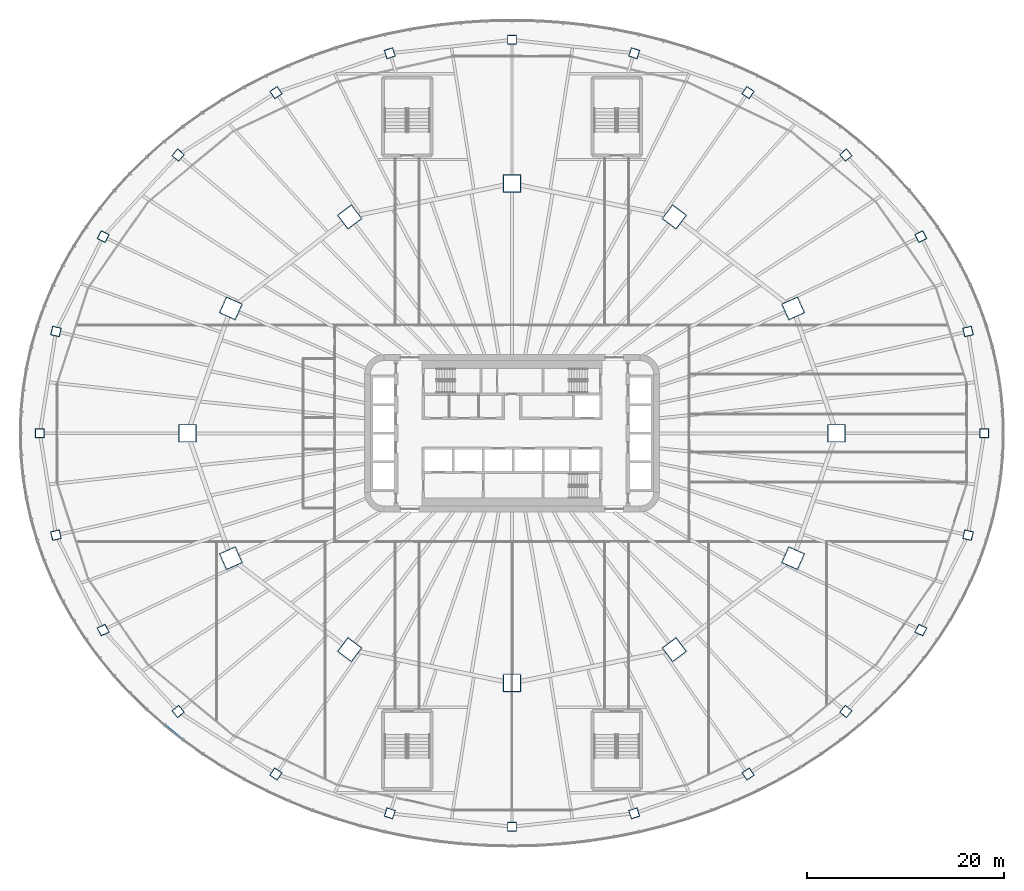
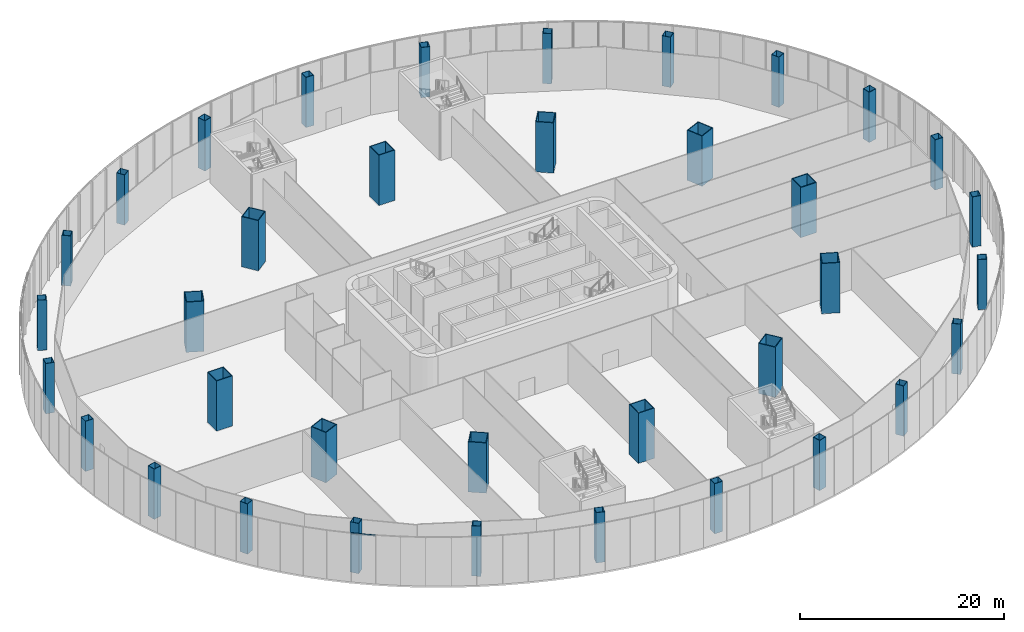
# One storey, part 1 of 37: 36 columns, 1 member, 1 element without a shape of its own.
"""IFC4 building model written with IfcOpenShell, lengths in metres."""

from ifc_helpers import new_model, si_unit, direction, frame, origin, origin_2d, place, context, subcontext, project, spatial, rectangle, hollow_rectangle, extrude, material, layer, layer_set, material_profile, profile_set, type_object, element, aggregate, save


model = new_model("IFC4")

# Units and contexts
model_context = context("Model", 3, precision=1e-05, world=origin(), true_north=direction((0.0, 1.0)))
body_context = subcontext(model_context, "Body", "Model", "MODEL_VIEW")
ifc_project = project(units=[si_unit("LENGTHUNIT", "METRE"), si_unit("AREAUNIT", "SQUARE_METRE"), si_unit("VOLUMEUNIT", "CUBIC_METRE"), si_unit("PLANEANGLEUNIT", "RADIAN"), si_unit("MASSUNIT", "GRAM", prefix="KILO")], contexts=[model_context])

# Site, building, storey
site_placement = place(None, origin())
site = spatial("IfcSite", under=ifc_project, at=site_placement, CompositionType="ELEMENT")
building_placement = place(site_placement, origin())
building = spatial("IfcBuilding", under=site, at=building_placement, Name="Sahrelin Media Tower", CompositionType="ELEMENT")
storey_placement = place(building_placement, frame((0.0, 0.0, 31.39990234375)))
storey = spatial("IfcBuildingStorey", under=building, at=storey_placement, Name="L04", CompositionType="ELEMENT", Elevation=31.39990234375)

# Columns
ifc_material_1 = material(Name="Steel S460", Category="steel")
ifc_material_profile_1 = material_profile(ifc_material_1, hollow_rectangle(XDim=1.800048828125, YDim=1.800048828125, WallThickness=0.080078125, at=origin_2d()), Name="Mega column MC1")
ifc_profile_set_1 = profile_set([ifc_material_profile_1], Name="Steel S460")
column_type_1 = type_object("IfcColumnType", Name="Mega column MC1", PredefinedType="COLUMN", material=ifc_profile_set_1)
for number, where, z_axis, x_axis, name in (
    (1, (33.0, 0.0, 0.0), (0.0, 0.0, 1.0), (1.0, 0.0, 0.0), "Mega column MC-00"),
    (2, (28.578857421875, 12.699951171875, 0.0), (0.0, 0.0, 1.0), (0.913831317054, 0.40609398416, 0.0), "Mega column MC-01"),
    (3, (16.5, 21.9970703125, 0.0), (0.0, 0.0, 1.0), (0.600051693363, 0.799961227368, 0.0), "Mega column MC-02"),
    (4, (0.0, 25.39990234375, 0.0), (0.0, 0.0, 1.0), (0.0, 1.0, 0.0), "Mega column MC-03"),
    (5, (-16.5, 21.9970703125, 0.0), (0.0, 0.0, 1.0), (-0.600051693363, 0.799961227368, 0.0), "Mega column MC-04"),
    (6, (-28.578857421875, 12.699951171875, 0.0), (0.0, 0.0, 1.0), (-0.913831317054, 0.40609398416, 0.0), "Mega column MC-05"),
    (7, (-33.0, 0.0, 0.0), (0.0, 0.0, 1.0), (-1.0, 0.0, 0.0), "Mega column MC-06"),
    (8, (-28.578857421875, -12.699951171875, 0.0), (0.0, 0.0, 1.0), (-0.913831317054, -0.40609398416, 0.0), "Mega column MC-07"),
    (9, (-16.5, -21.9970703125, 0.0), (0.0, 0.0, 1.0), (-0.600051693363, -0.799961227368, 0.0), "Mega column MC-08"),
    (10, (0.0, -25.39990234375, 0.0), (0.0, 0.0, 1.0), (0.0, -1.0, 0.0), "Mega column MC-09"),
    (11, (16.5, -21.9970703125, 0.0), (0.0, 0.0, 1.0), (0.600051693363, -0.799961227368, 0.0), "Mega column MC-10"),
    (12, (28.578857421875, -12.699951171875, 0.0), (0.0, 0.0, 1.0), (0.913831317054, -0.40609398416, 0.0), "Mega column MC-11"),
):
    element("IfcColumn", number, at=place(storey_placement, frame(where, z_axis=z_axis, x_axis=x_axis)), inside=storey, type_object=column_type_1, Name=name, PredefinedType="COLUMN", context=body_context, shape_type="SweptSolid", body=[
        extrude(hollow_rectangle(XDim=1.800048828125, YDim=1.800048828125, WallThickness=0.080078125, at=origin_2d()), origin(), (0.0, 0.0, 1.0), 6.0),
    ])
ifc_material_profile_2 = material_profile(ifc_material_1, hollow_rectangle(XDim=0.89990234375, YDim=0.89990234375, WallThickness=0.0400390625, at=origin_2d()), Name="Podium column PC1")
ifc_profile_set_2 = profile_set([ifc_material_profile_2], Name="Steel S460")
column_type_2 = type_object("IfcColumnType", Name="Podium column PC1", PredefinedType="COLUMN", material=ifc_profile_set_2)
for number, where, z_axis, x_axis, name in (
    (13, (48.0, 0.0, 0.0), (0.0, 0.0, 1.0), (1.0, 0.0, 0.0), "Podium column PC-00"),
    (14, (46.364501953125, 10.352783203125, 0.0), (0.0, 0.0, 1.0), (0.975965471253, 0.217925214058, 0.0), "Podium column PC-01"),
    (15, (41.569091796875, 20.0, 0.0), (0.0, 0.0, 1.0), (0.901126969284, 0.433555285089, 0.0), "Podium column PC-02"),
    (16, (33.941162109375, 28.2841796875, 0.0), (0.0, 0.0, 1.0), (0.768220956602, 0.640184787259, 0.0), "Podium column PC-03"),
    (17, (24.0, 34.64111328125, 0.0), (0.0, 0.0, 1.0), (0.569494740726, 0.821994975827, 0.0), "Podium column PC-04"),
    (18, (12.42333984375, 38.636962890625, 0.0), (0.0, 0.0, 1.0), (0.306104074477, 0.951998054404, 0.0), "Podium column PC-05"),
    (19, (0.0, 40.0, 0.0), (0.0, 0.0, 1.0), (0.0, 1.0, 0.0), "Podium column PC-06"),
    (20, (-12.42333984375, 38.636962890625, 0.0), (0.0, 0.0, 1.0), (-0.306104074477, 0.951998054404, 0.0), "Podium column PC-07"),
    (21, (-24.0, 34.64111328125, 0.0), (0.0, 0.0, 1.0), (-0.569494740726, 0.821994975827, 0.0), "Podium column PC-08"),
    (22, (-33.941162109375, 28.2841796875, 0.0), (0.0, 0.0, 1.0), (-0.768220956602, 0.640184787259, 0.0), "Podium column PC-09"),
    (23, (-41.569091796875, 20.0, 0.0), (0.0, 0.0, 1.0), (-0.901126969284, 0.433555285089, 0.0), "Podium column PC-10"),
    (24, (-46.364501953125, 10.352783203125, 0.0), (0.0, 0.0, 1.0), (-0.975965471253, 0.217925214058, 0.0), "Podium column PC-11"),
    (25, (-48.0, 0.0, 0.0), (0.0, 0.0, 1.0), (-1.0, 0.0, 0.0), "Podium column PC-12"),
    (26, (-46.364501953125, -10.352783203125, 0.0), (0.0, 0.0, 1.0), (-0.975965471253, -0.217925214058, 0.0), "Podium column PC-13"),
    (27, (-41.569091796875, -20.0, 0.0), (0.0, 0.0, 1.0), (-0.901126969284, -0.433555285089, 0.0), "Podium column PC-14"),
    (28, (-33.941162109375, -28.2841796875, 0.0), (0.0, 0.0, 1.0), (-0.768220956602, -0.640184787259, 0.0), "Podium column PC-15"),
    (29, (-24.0, -34.64111328125, 0.0), (0.0, 0.0, 1.0), (-0.569494740726, -0.821994975827, 0.0), "Podium column PC-16"),
    (30, (-12.42333984375, -38.636962890625, 0.0), (0.0, 0.0, 1.0), (-0.306104074477, -0.951998054404, 0.0), "Podium column PC-17"),
    (31, (0.0, -40.0, 0.0), (0.0, 0.0, 1.0), (0.0, -1.0, 0.0), "Podium column PC-18"),
    (32, (12.42333984375, -38.636962890625, 0.0), (0.0, 0.0, 1.0), (0.306104074477, -0.951998054404, 0.0), "Podium column PC-19"),
    (33, (24.0, -34.64111328125, 0.0), (0.0, 0.0, 1.0), (0.569494740726, -0.821994975827, 0.0), "Podium column PC-20"),
    (34, (33.941162109375, -28.2841796875, 0.0), (0.0, 0.0, 1.0), (0.768220956602, -0.640184787259, 0.0), "Podium column PC-21"),
    (35, (41.569091796875, -20.0, 0.0), (0.0, 0.0, 1.0), (0.901126969284, -0.433555285089, 0.0), "Podium column PC-22"),
    (36, (46.364501953125, -10.352783203125, 0.0), (0.0, 0.0, 1.0), (0.975965471253, -0.217925214058, 0.0), "Podium column PC-23"),
):
    element("IfcColumn", number, at=place(storey_placement, frame(where, z_axis=z_axis, x_axis=x_axis)), inside=storey, type_object=column_type_2, Name=name, PredefinedType="COLUMN", context=body_context, shape_type="SweptSolid", body=[
        extrude(hollow_rectangle(XDim=0.89990234375, YDim=0.89990234375, WallThickness=0.0400390625, at=origin_2d()), origin(), (0.0, 0.0, 1.0), 6.0),
    ])

# Curtain wall, member
ifc_material_2 = material(Name="Champagne anodised aluminium 6063-T6", Category="aluminium")
ifc_layer = layer(ifc_material_2, 0.14990234375)
ifc_layer_set = layer_set([ifc_layer], Name="Podium ribbon curtain wall")
curtain_wall_type = type_object("IfcCurtainWallType", Name="Podium ribbon curtain wall", PredefinedType="NOTDEFINED", material=ifc_layer_set)
curtain_wall_placement = place(storey_placement, frame((-35.355224609375, -29.698486328125, 0.0), z_axis=(0.0, 0.0, 1.0), x_axis=(1.0, 0.0, 0.0)))
curtain_wall = element("IfcCurtainWall", 37, at=curtain_wall_placement, inside=storey, type_object=curtain_wall_type, Name="L04:CW:L04-P15", PredefinedType="NOTDEFINED")
ifc_material_profile_3 = material_profile(ifc_material_2, rectangle(XDim=0.06005859375, YDim=0.14990234375, at=origin_2d()), Name="Transom 60x150")
ifc_profile_set_3 = profile_set([ifc_material_profile_3], Name="Champagne anodised aluminium 6063-T6")
member_type = type_object("IfcMemberType", Name="Transom 60x150 CW5", PredefinedType="USERDEFINED", material=ifc_profile_set_3)
member_placement = place(storey_placement, frame((-35.284912109375, -29.690673828125, 5.72509765625), z_axis=(0.781949308238, -0.62334202437, 0.0), x_axis=(0.62334202437, 0.781949308238, 0.0)))
member = element("IfcMember", 38, at=member_placement, type_object=member_type, Name="L04:CWT1a:L04-P15", ObjectType="TRANSOM", PredefinedType="USERDEFINED", context=body_context, shape_type="SweptSolid", body=[
    extrude(rectangle(XDim=0.06005859375, YDim=0.14990234375, at=origin_2d()), origin(), (0.0, 0.0, 1.0), 2.378173828125),
])
aggregate(curtain_wall, [member])

save(model, "model.ifc")
